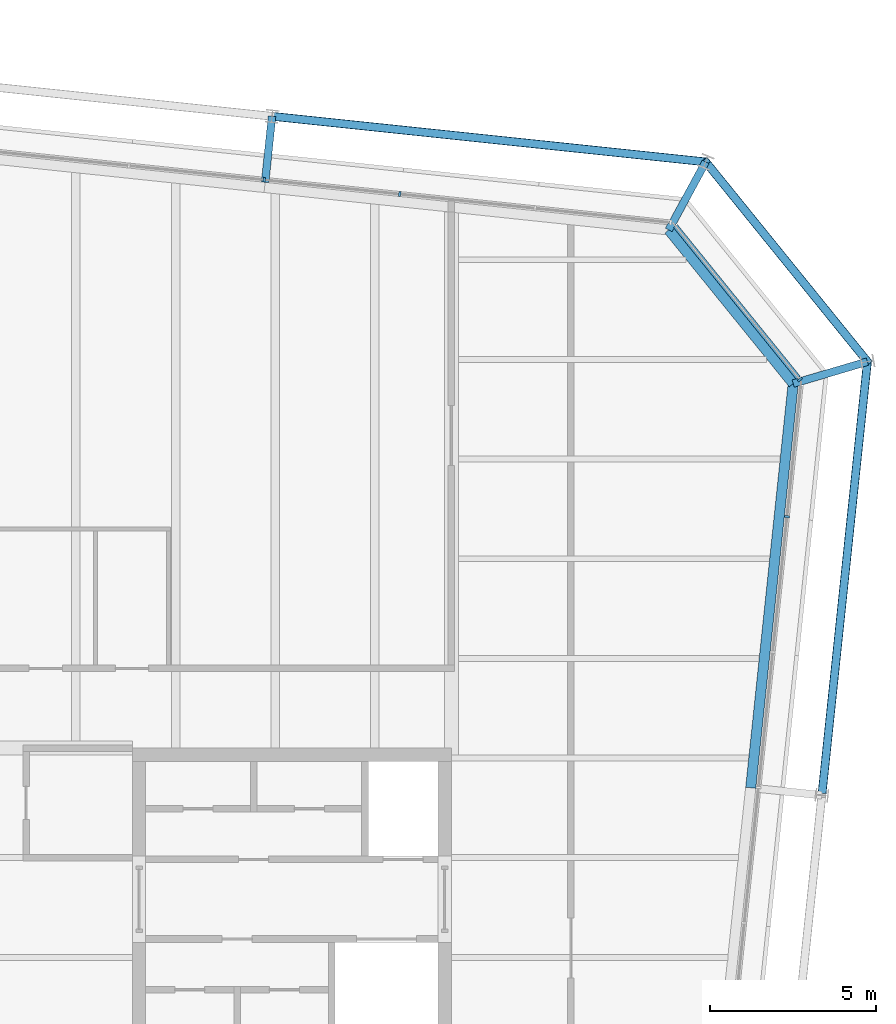
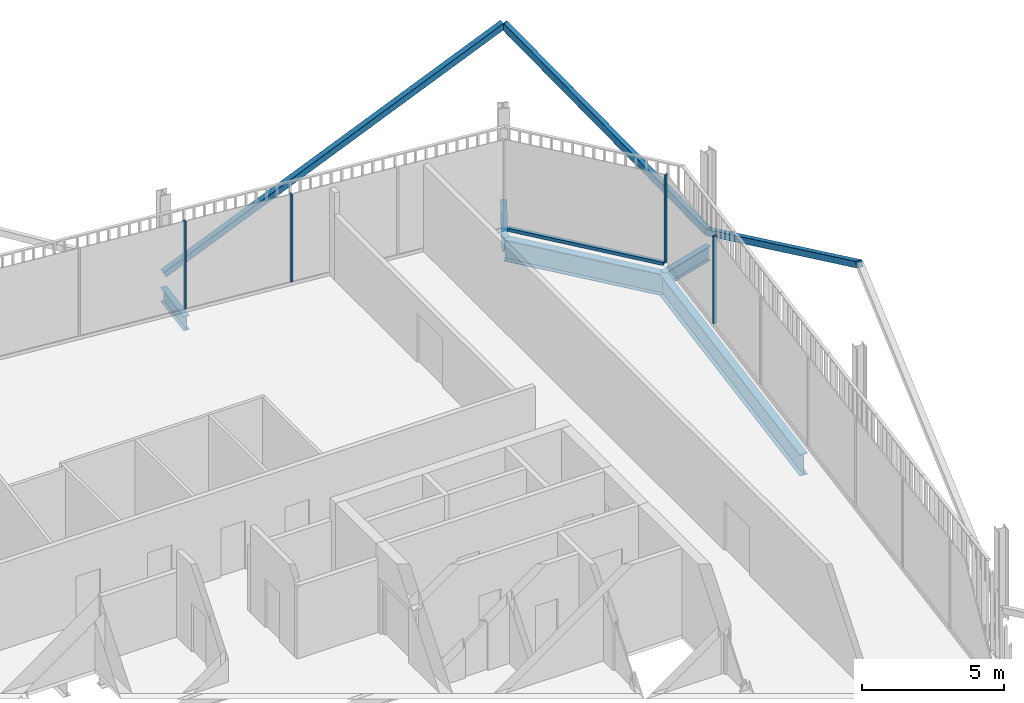
# One storey, part 15 of 21: 8 members, 5 beams, 3 elements without a shape of their own.
"""IFC4 building model written with IfcOpenShell, lengths in metres."""

from ifc_helpers import new_model, si_unit, direction, frame, origin, origin_2d, place, context, subcontext, project, spatial, rectangle, hollow_rectangle, i_section, extrude, material, layer, layer_set, material_profile, profile_set, type_object, element, aggregate, save


model = new_model("IFC4")

# Units and contexts
model_context = context("Model", 3, precision=1e-05, world=origin(), true_north=direction((0.0, 1.0)))
body_context = subcontext(model_context, "Body", "Model", "MODEL_VIEW")
ifc_project = project(units=[si_unit("LENGTHUNIT", "METRE"), si_unit("AREAUNIT", "SQUARE_METRE"), si_unit("VOLUMEUNIT", "CUBIC_METRE"), si_unit("PLANEANGLEUNIT", "RADIAN"), si_unit("MASSUNIT", "GRAM", prefix="KILO")], contexts=[model_context])

# Site, building, storey
site_placement = place(None, origin())
site = spatial("IfcSite", under=ifc_project, at=site_placement, CompositionType="ELEMENT")
building_placement = place(site_placement, origin())
building = spatial("IfcBuilding", under=site, at=building_placement, Name="Millrace Tower", CompositionType="ELEMENT")
storey_placement = place(building_placement, frame((0.0, 0.0, 326.5)))
storey = spatial("IfcBuildingStorey", under=building, at=storey_placement, Name="L75", CompositionType="ELEMENT", Elevation=326.5)

# Curtain wall, member
ifc_material_1 = material(Name="Aluminium and glass", Category="aluminium")
ifc_layer = layer(ifc_material_1, 0.14990234375)
ifc_layer_set = layer_set([ifc_layer], Name="Aluminium and glass")
curtain_wall_type = type_object("IfcCurtainWallType", Name="CW-1 office vision curtain wall", PredefinedType="NOTDEFINED", material=ifc_layer_set)
placement = place(storey_placement, origin())
curtain_wall_1 = element("IfcCurtainWall", 1, at=placement, inside=storey, type_object=curtain_wall_type, Name="Curtain wall E-F04 L75", PredefinedType="NOTDEFINED")
ifc_material_2 = material(Name="Aluminium", Category="aluminium")
ifc_material_profile_1 = material_profile(ifc_material_2, rectangle(XDim=0.06494140625, YDim=0.14990234375, at=origin_2d()))
ifc_profile_set_1 = profile_set([ifc_material_profile_1], Name="Aluminium")
member_type_1 = type_object("IfcMemberType", Name="CW-1 office vision curtain wall mullion", PredefinedType="MULLION", material=ifc_profile_set_1)
member_1_placement = place(storey_placement, frame((24.4033203125, 16.267822265625, 0.139892578125), z_axis=(0.0, 0.0, 1.0), x_axis=(0.104528455196, 0.994521896217, 0.0)))
member_1 = element("IfcMember", 2, at=member_1_placement, type_object=member_type_1, Name="CW1 mullion E-F04.9", PredefinedType="MULLION", context=body_context, shape_type="SweptSolid", body=[
    extrude(rectangle(XDim=0.06494140625, YDim=0.14990234375, at=origin_2d()), origin(), (0.0, 0.0, 1.0), 3.760009765625),
])
aggregate(curtain_wall_1, [member_1])

curtain_wall_2 = element("IfcCurtainWall", 3, at=placement, inside=storey, type_object=curtain_wall_type, Name="Curtain wall E-F05 L75", PredefinedType="NOTDEFINED")
member_2_placement = place(storey_placement, frame((24.791748046875, 20.393310546875, 0.139892578125), z_axis=(0.0, 0.0, 1.0), x_axis=(-0.629320278945, 0.777146052237, 0.0)))
member_2 = element("IfcMember", 4, at=member_2_placement, type_object=member_type_1, Name="CW1 mullion E-F05.1", PredefinedType="MULLION", context=body_context, shape_type="SweptSolid", body=[
    extrude(rectangle(XDim=0.06494140625, YDim=0.14990234375, at=origin_2d()), origin(), (0.0, 0.0, 1.0), 3.760009765625),
])

# Curtain wall, members
curtain_wall_3 = element("IfcCurtainWall", 5, at=placement, inside=storey, type_object=curtain_wall_type, Name="Curtain wall E-F06 L75", PredefinedType="NOTDEFINED")
member_3_placement = place(storey_placement, frame((12.747314453125, 25.98193359375, 0.139892578125), z_axis=(0.0, 0.0, 1.0), x_axis=(-0.994521896217, 0.104528455196, 0.0)))
member_3 = element("IfcMember", 6, at=member_3_placement, type_object=member_type_1, Name="CW1 mullion E-F06.3", PredefinedType="MULLION", context=body_context, shape_type="SweptSolid", body=[
    extrude(rectangle(XDim=0.06494140625, YDim=0.14990234375, at=origin_2d()), origin(), (0.0, 0.0, 1.0), 3.760009765625),
])
member_4_placement = place(storey_placement, frame((8.669921875, 26.410400390625, 0.139892578125), z_axis=(0.0, 0.0, 1.0), x_axis=(-0.994521896217, 0.104528455196, 0.0)))
member_4 = element("IfcMember", 7, at=member_4_placement, type_object=member_type_1, Name="CW1 mullion E-F06.4", PredefinedType="MULLION", context=body_context, shape_type="SweptSolid", body=[
    extrude(rectangle(XDim=0.06494140625, YDim=0.14990234375, at=origin_2d()), origin(), (0.0, 0.0, 1.0), 3.760009765625),
])
aggregate(curtain_wall_3, [member_3, member_4])

# Member
ifc_material_3 = material(Name="Aluminium", Category="aluminium")
ifc_material_profile_2 = material_profile(ifc_material_3, rectangle(XDim=0.14990234375, YDim=0.139892578125, at=origin_2d()))
ifc_profile_set_2 = profile_set([ifc_material_profile_2], Name="Aluminium")
member_type_2 = type_object("IfcMemberType", Name="CW-1 office vision curtain wall transom", PredefinedType="USERDEFINED", material=ifc_profile_set_2)
member_5_placement = place(storey_placement, frame((24.749267578125, 20.44580078125, 0.070068359375), z_axis=(-0.629321221277, 0.777145289151, 0.0), x_axis=(-0.777145289151, -0.629321221277, 0.0)))
member_5 = element("IfcMember", 8, at=member_5_placement, type_object=member_type_2, Name="CW1 transom E-F05.1", ObjectType="TRANSOM", PredefinedType="USERDEFINED", context=body_context, shape_type="SweptSolid", body=[
    extrude(rectangle(XDim=0.14990234375, YDim=0.139892578125, at=origin_2d()), origin(), (0.0, 0.0, 1.0), 5.881103515625),
])

aggregate(curtain_wall_2, [member_2, member_5])

# Members
ifc_material_4 = material(Name="Steel ASTM A500 Grade C", Category="steel")
ifc_material_profile_3 = material_profile(ifc_material_4, hollow_rectangle(XDim=0.25390625, YDim=0.25390625, WallThickness=0.009521484375, InnerFilletRadius=0.004638671875, OuterFilletRadius=0.014404296875, at=origin_2d()))
ifc_profile_set_3 = profile_set([ifc_material_profile_3], Name="Steel ASTM A500 Grade C")
member_type_3 = type_object("IfcMemberType", Name="Exoskeleton brace HSS10x10x3/8", PredefinedType="BRACE", material=ifc_profile_set_3)
member_6_placement = place(storey_placement, frame((26.82958984375, 20.935791015625, 0.39990234375), z_axis=(-0.092236950483, -0.877571982182, 0.470488853274), x_axis=(0.994521846076, -0.104528932251, 0.0)))
element("IfcMember", 9, at=member_6_placement, inside=storey, type_object=member_type_3, Name="BRC-E-L75-08", PredefinedType="BRACE", context=body_context, shape_type="SweptSolid", body=[
    extrude(hollow_rectangle(XDim=0.25390625, YDim=0.25390625, WallThickness=0.009521484375, InnerFilletRadius=0.004638671875, OuterFilletRadius=0.014404296875, at=origin_2d()), origin(), (0.0, 0.0, 1.0), 14.878173828125),
])
member_7_placement = place(storey_placement, frame((26.82958984375, 20.935791015625, 0.39990234375), z_axis=(-0.466694392708, 0.57631352586, 0.670864415308), x_axis=(-0.777142728993, -0.62932438279, 0.0)))
element("IfcMember", 10, at=member_7_placement, inside=storey, type_object=member_type_3, Name="BRC-E-L75-09", PredefinedType="BRACE", context=body_context, shape_type="SweptSolid", body=[
    extrude(hollow_rectangle(XDim=0.25390625, YDim=0.25390625, WallThickness=0.009521484375, InnerFilletRadius=0.004638671875, OuterFilletRadius=0.014404296875, at=origin_2d()), origin(), (0.0, 0.0, 1.0), 10.434326171875),
])
member_8_placement = place(storey_placement, frame((8.9033203125, 28.321533203125, 0.39990234375), z_axis=(0.877571982182, -0.092236950483, 0.470488853274), x_axis=(0.104528932251, 0.994521846076, 0.0)))
element("IfcMember", 11, at=member_8_placement, inside=storey, type_object=member_type_3, Name="BRC-E-L75-10", PredefinedType="BRACE", context=body_context, shape_type="SweptSolid", body=[
    extrude(hollow_rectangle(XDim=0.25390625, YDim=0.25390625, WallThickness=0.009521484375, InnerFilletRadius=0.004638671875, OuterFilletRadius=0.014404296875, at=origin_2d()), origin(), (0.0, 0.0, 1.0), 14.878173828125),
])

# Beams
ifc_material_5 = material(Name="Steel ASTM A992 Grade 50", Category="steel")
ifc_material_profile_4 = material_profile(ifc_material_5, i_section(OverallWidth=0.23046875, OverallDepth=0.6171875, WebThickness=0.01318359375, FlangeThickness=0.022216796875, FilletRadius=0.012939453125, at=origin_2d()))
ifc_profile_set_4 = profile_set([ifc_material_profile_4], Name="Steel ASTM A992 Grade 50")
beam_type_1 = type_object("IfcBeamType", Name="Link beam W24x94", PredefinedType="BEAM", material=ifc_profile_set_4)
beam_1_placement = place(storey_placement, frame((8.6943359375, 26.33251953125, -0.468505859375), z_axis=(0.104494148666, 0.99452550138, 0.0), x_axis=(-0.99452550138, 0.104494148666, 0.0)))
element("IfcBeam", 12, at=beam_1_placement, inside=storey, type_object=beam_type_1, Name="LNK-E-L75-S1-07", PredefinedType="BEAM", context=body_context, shape_type="SweptSolid", body=[
    extrude(i_section(OverallWidth=0.23046875, OverallDepth=0.6171875, WebThickness=0.01318359375, FlangeThickness=0.022216796875, FilletRadius=0.012939453125, at=origin_2d()), origin(), (0.0, 0.0, 1.0), 2.0),
])
for number, where, z_axis, x_axis, name in (
    (13, (20.84765625, 24.900634765625, -0.468505859375), (0.477163510307, 0.87881453358, 0.0), (-0.87881453358, 0.477163510307, 0.0), "LNK-E-L75-S1-08"),
    (14, (24.594482421875, 20.273681640625, -0.468505859375), (0.958815015936, 0.284031275065, 0.0), (-0.284031275065, 0.958815015936, 0.0), "LNK-E-L75-S1-09"),
):
    element("IfcBeam", number, at=place(storey_placement, frame(where, z_axis=z_axis, x_axis=x_axis)), inside=storey, type_object=beam_type_1, Name=name, PredefinedType="BEAM", context=body_context, shape_type="SweptSolid", body=[
        extrude(i_section(OverallWidth=0.23046875, OverallDepth=0.6171875, WebThickness=0.01318359375, FlangeThickness=0.022216796875, FilletRadius=0.012939453125, at=origin_2d()), origin(), (0.0, 0.0, 1.0), 2.3310546875),
    ])
ifc_material_6 = material(Name="Steel ASTM A992 Grade 50", Category="steel")
ifc_material_profile_5 = material_profile(ifc_material_6, i_section(OverallWidth=0.307373046875, OverallDepth=0.927001953125, WebThickness=0.01953125, FlangeThickness=0.031982421875, FilletRadius=0.01904296875, at=origin_2d()))
ifc_profile_set_5 = profile_set([ifc_material_profile_5], Name="Steel ASTM A992 Grade 50")
beam_type_2 = type_object("IfcBeamType", Name="Ring beam medium span W36x194", PredefinedType="SPANDREL", material=ifc_profile_set_5)
beam_2_placement = place(storey_placement, frame((24.594482421875, 20.273681640625, -0.62353515625), z_axis=(-0.104527955888, -0.994521948696, 0.0), x_axis=(0.994521948696, -0.104527955888, 0.0)))
element("IfcBeam", 15, at=beam_2_placement, inside=storey, type_object=beam_type_2, Name="RNG-E-L75-S1-09", PredefinedType="SPANDREL", context=body_context, shape_type="SweptSolid", body=[
    extrude(i_section(OverallWidth=0.307373046875, OverallDepth=0.927001953125, WebThickness=0.01953125, FlangeThickness=0.031982421875, FilletRadius=0.01904296875, at=origin_2d()), origin(), (0.0, 0.0, 1.0), 12.236572265625),
])
ifc_material_7 = material(Name="Steel ASTM A992 Grade 50", Category="steel")
ifc_material_profile_6 = material_profile(ifc_material_7, i_section(OverallWidth=0.307373046875, OverallDepth=0.927001953125, WebThickness=0.01953125, FlangeThickness=0.031982421875, FilletRadius=0.01904296875, at=origin_2d()))
ifc_profile_set_6 = profile_set([ifc_material_profile_6], Name="Steel ASTM A992 Grade 50")
beam_type_3 = type_object("IfcBeamType", Name="Ring beam short span W36x194", PredefinedType="SPANDREL", material=ifc_profile_set_6)
beam_3_placement = place(storey_placement, frame((20.84765625, 24.900634765625, -0.62353515625), z_axis=(0.629319722443, -0.777146502883, 0.0), x_axis=(0.777146502883, 0.629319722443, 0.0)))
element("IfcBeam", 16, at=beam_3_placement, inside=storey, type_object=beam_type_3, Name="RNG-E-L75-S1-08", PredefinedType="SPANDREL", context=body_context, shape_type="SweptSolid", body=[
    extrude(i_section(OverallWidth=0.307373046875, OverallDepth=0.927001953125, WebThickness=0.01953125, FlangeThickness=0.031982421875, FilletRadius=0.01904296875, at=origin_2d()), origin(), (0.0, 0.0, 1.0), 5.953857421875),
])

save(model, "model.ifc")
